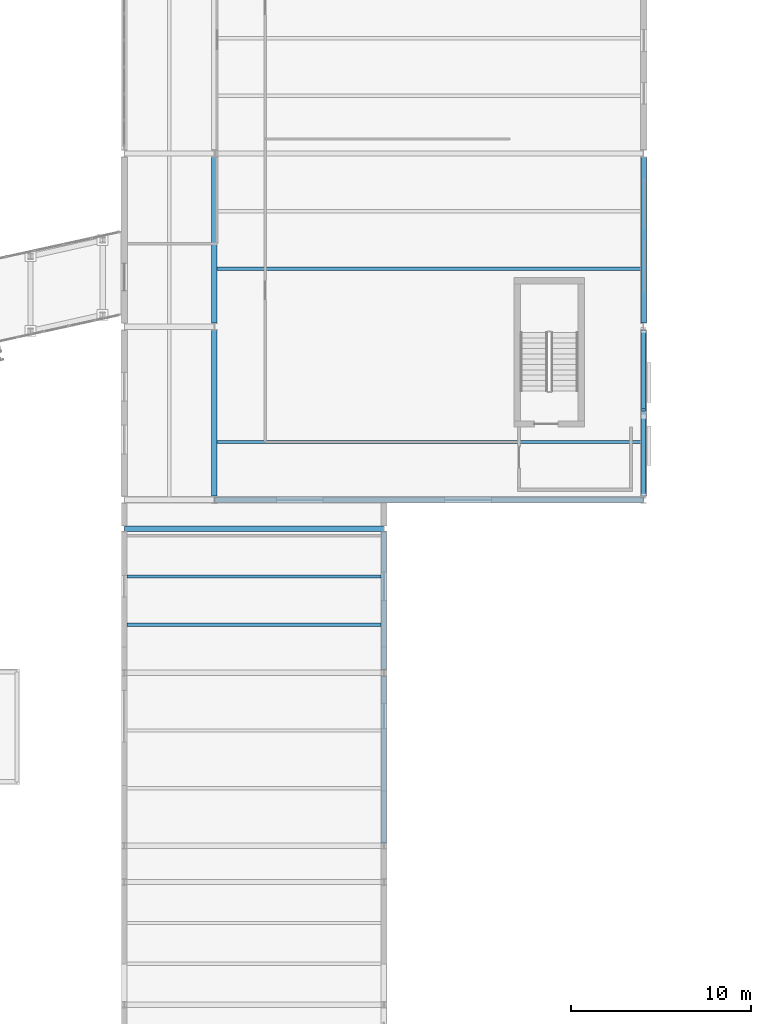
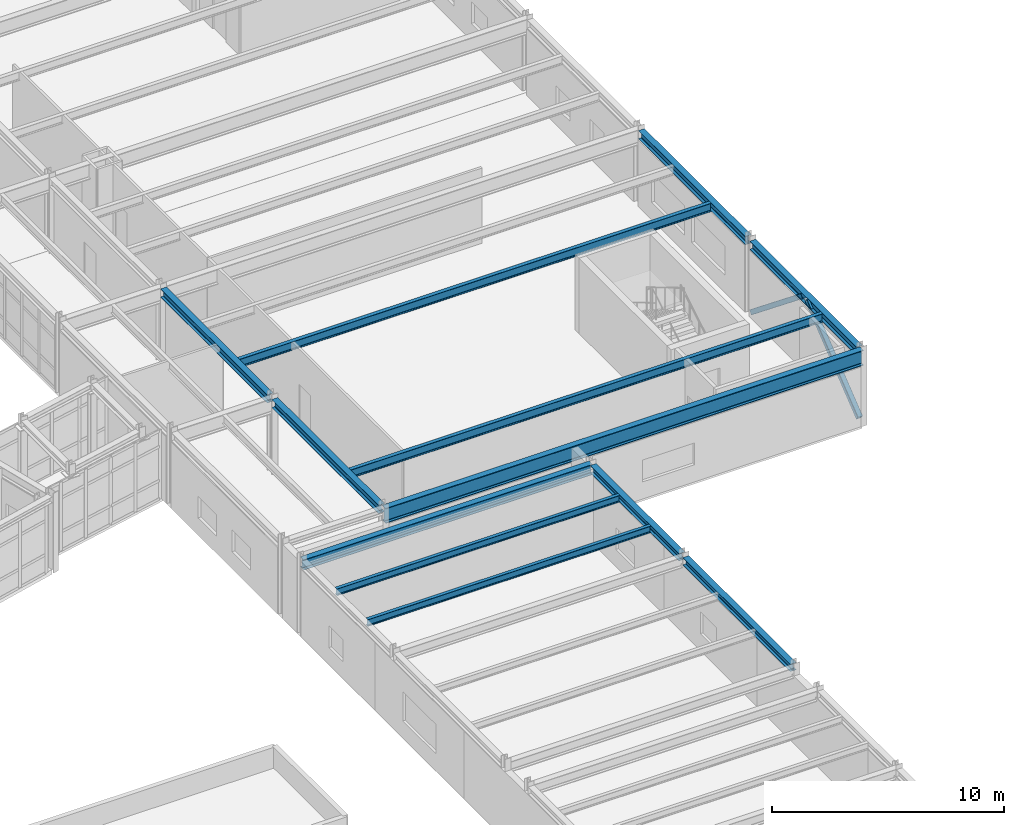
# One storey, part 34 of 99: 12 beams, 2 members.
"""IFC4 building model written with IfcOpenShell, lengths in metres."""

import ifcopenshell
import ifcopenshell.guid

model = None  # the IFC model being written
_history = None  # IfcOwnerHistory: only IFC2X3 demands one
_inside = {}  # id of a spatial element -> (the spatial element, [elements in it])
_under = {}  # id of a project, library or spatial element -> (it, [spatial elements below it])
_declared = {}  # id of a project -> (the project, [libraries it declares])
_typed = {}  # id of a type object -> (the type object, [elements of that type])
_made_of = {}  # id of a material, layer set ... -> (it, [elements and type objects made of it])


def new_model(schema):
    """Start an empty IFC model of exactly this schema.

    Asked for "IFC4X3", IfcOpenShell would pick the latest addendum, in which some entities
    have other attributes; the version numbers below select the first issue.
    IFC2X3 requires an IfcOwnerHistory on every rooted entity: one is made here for all.
    """
    global model, _history
    if schema == "IFC4X3":
        model = ifcopenshell.file(schema_version=(4, 3, 0, 0))
    else:
        model = ifcopenshell.file(schema=schema)
    _inside.clear()
    _under.clear()
    _declared.clear()
    _typed.clear()
    _made_of.clear()
    _history = None
    if model.schema == "IFC2X3":
        org = make("IfcOrganization", Name="unknown")
        user = make(
            "IfcPersonAndOrganization",
            ThePerson=make("IfcPerson", FamilyName="unknown"),
            TheOrganization=org,
        )
        app = make(
            "IfcApplication",
            ApplicationDeveloper=org,
            Version="unknown",
            ApplicationFullName="unknown",
            ApplicationIdentifier="unknown",
        )
        _history = make(
            "IfcOwnerHistory",
            OwningUser=user,
            OwningApplication=app,
            ChangeAction="ADDED",
            CreationDate=0,
        )
    return model


def make(cls, **values):
    """One entity of the class cls with the attributes given. An attribute that is None is left unset."""
    return model.create_entity(
        cls, **{name: value for name, value in values.items() if value is not None}
    )


def rooted(cls, **values):
    """An entity with a GlobalId (a new one), such as an element, a storey or a relation."""
    return make(cls, GlobalId=ifcopenshell.guid.new(), OwnerHistory=_history, **values)


def si_unit(unit_type, name, prefix=None):
    """IfcSIUnit, for example si_unit("LENGTHUNIT", "METRE", prefix="MILLI")."""
    return make("IfcSIUnit", UnitType=unit_type, Prefix=prefix, Name=name)


def assignment(units):
    """IfcUnitAssignment: the units of a project."""
    return None if units is None else make("IfcUnitAssignment", Units=units)


def point(xyz):
    """IfcCartesianPoint."""
    return None if xyz is None else make("IfcCartesianPoint", Coordinates=xyz)


def direction(xyz):
    """IfcDirection."""
    return None if xyz is None else make("IfcDirection", DirectionRatios=xyz)


def frame(location, z_axis=None, x_axis=None):
    """IfcAxis2Placement3D, a coordinate frame: its origin and axes. An axis left out is left unset."""
    return make(
        "IfcAxis2Placement3D",
        Location=point(location),
        Axis=direction(z_axis),
        RefDirection=direction(x_axis),
    )


def frame_2d(location, x_axis=None):
    """IfcAxis2Placement2D, a coordinate frame in the plane: its origin and x axis."""
    return make(
        "IfcAxis2Placement2D", Location=point(location), RefDirection=direction(x_axis)
    )


def origin():
    """The frame at (0, 0, 0) with its axes left unset."""
    return frame((0.0, 0.0, 0.0))


def origin_2d():
    """The frame at (0, 0) in the plane with its x axis left unset."""
    return frame_2d((0.0, 0.0))


def place(relative_to, where):
    """IfcLocalPlacement: puts the frame where relative to a parent placement (None: the world)."""
    return make(
        "IfcLocalPlacement", PlacementRelTo=relative_to, RelativePlacement=where
    )


def context(
    kind, dimensions, precision=None, world=None, true_north=None, identifier=None
):
    """IfcGeometricRepresentationContext, for example the 3D "Model" context."""
    return make(
        "IfcGeometricRepresentationContext",
        ContextIdentifier=identifier,
        ContextType=kind,
        CoordinateSpaceDimension=dimensions,
        Precision=precision,
        WorldCoordinateSystem=world,
        TrueNorth=true_north,
    )


def subcontext(parent, identifier, kind, view, scale=None):
    """IfcGeometricRepresentationSubContext, for example "Body" below "Model"."""
    return make(
        "IfcGeometricRepresentationSubContext",
        ContextIdentifier=identifier,
        ContextType=kind,
        ParentContext=parent,
        TargetScale=scale,
        TargetView=view,
    )


def project(units=None, contexts=None):
    """IfcProject with its units and contexts."""
    return rooted(
        "IfcProject",
        Name="project",
        RepresentationContexts=contexts,
        UnitsInContext=assignment(units),
    )


def spatial(cls, under=None, at=None, **own):
    """A site, building, storey or space (cls), placed at a placement, below another one or the project."""
    s = rooted(cls, ObjectPlacement=at, **own)
    if under is not None:
        _under.setdefault(under.id(), (under, []))[1].append(s)
    return s


def profile(cls, at=None, kind="AREA", **sizes):
    """A parametric profile (cls). Its sizes go by their IFC names, for example OverallWidth=200.0."""
    return make(cls, ProfileType=kind, Position=at, **sizes)


def hollow_rectangle(**sizes):
    """IfcRectangleHollowProfileDef."""
    return profile("IfcRectangleHollowProfileDef", **sizes)


def i_section(**sizes):
    """IfcIShapeProfileDef."""
    return profile("IfcIShapeProfileDef", **sizes)


def extrude(swept, where, along, depth):
    """IfcExtrudedAreaSolid: the profile swept, set in the frame where, extruded along a direction by depth."""
    return make(
        "IfcExtrudedAreaSolid",
        SweptArea=swept,
        Position=where,
        ExtrudedDirection=direction(along),
        Depth=depth,
    )


def shape(context_of_items, identifier, shape_type, items):
    """IfcShapeRepresentation: the items that make up one representation, for example the "Body"."""
    return make(
        "IfcShapeRepresentation",
        ContextOfItems=context_of_items,
        RepresentationIdentifier=identifier,
        RepresentationType=shape_type,
        Items=items,
    )


def material(Name=None, Category=None):
    """IfcMaterial."""
    return make("IfcMaterial", Name=Name, Category=Category)


def material_profile(
    of_material, cross_section, Name=None, Category=None, Priority=None
):
    """IfcMaterialProfile: a cross section and its material."""
    return make(
        "IfcMaterialProfile",
        Name=Name,
        Material=of_material,
        Profile=cross_section,
        Priority=Priority,
        Category=Category,
    )


def profile_set(profiles, Name=None, composite=None):
    """IfcMaterialProfileSet."""
    return make(
        "IfcMaterialProfileSet",
        Name=Name,
        MaterialProfiles=profiles,
        CompositeProfile=composite,
    )


def made_of(thing, what):
    """Note that an element or type object is made of a material, layer set ...; save() writes the relation."""
    if what is not None:
        _made_of.setdefault(what.id(), (what, []))[1].append(thing)
    return thing


def type_object(cls, material=None, **own):
    """A type object (cls), such as IfcWallType, which elements share."""
    return made_of(rooted(cls, **own), material)


def element(
    cls,
    number,
    at=None,
    inside=None,
    cuts=None,
    type_object=None,
    material=None,
    context=None,
    identifier="Body",
    shape_type=None,
    held_by="IfcProductDefinitionShape",
    body=None,
    shapes=None,
    **own,
):
    """One element of the class cls, such as IfcWall. Its Tag is "e" and its number.

    at: its placement. inside: the storey or other place that contains it. cuts: it is an
    opening in that element (IfcRelVoidsElement). A single representation is given by context,
    identifier, shape_type and body (its items); several are given by shapes. held_by: the class
    of the entity that holds the representations. save() writes the other relations.
    """
    e = rooted(cls, Tag="e%d" % number, ObjectPlacement=at, **own)
    if body is not None:
        shapes = [shape(context, identifier, shape_type, body)]
    if shapes is not None:
        e.Representation = make(held_by, Representations=shapes)
    if inside is not None:
        _inside.setdefault(inside.id(), (inside, []))[1].append(e)
    if cuts is not None:
        rooted(
            "IfcRelVoidsElement", RelatingBuildingElement=cuts, RelatedOpeningElement=e
        )
    if type_object is not None:
        _typed.setdefault(type_object.id(), (type_object, []))[1].append(e)
    return made_of(e, material)


def aggregate(whole, parts):
    """IfcRelAggregates: a whole, such as a stair, and the parts it consists of."""
    return rooted("IfcRelAggregates", RelatingObject=whole, RelatedObjects=parts)


def save(model, path):
    """Write the relations noted so far, then the file.

    IfcRelAggregates (storeys below a building ...), IfcRelContainedInSpatialStructure (elements
    in a storey), IfcRelDefinesByType, IfcRelAssociatesMaterial and IfcRelDeclares: one each for
    every whole, place, type object, material and project.
    """
    for whole, parts in _under.values():
        aggregate(whole, parts)
    for where, things in _inside.values():
        rooted(
            "IfcRelContainedInSpatialStructure",
            RelatedElements=things,
            RelatingStructure=where,
        )
    for kind, things in _typed.values():
        rooted("IfcRelDefinesByType", RelatedObjects=things, RelatingType=kind)
    for what, things in _made_of.values():
        rooted("IfcRelAssociatesMaterial", RelatedObjects=things, RelatingMaterial=what)
    for by, libraries in _declared.values():
        rooted("IfcRelDeclares", RelatingContext=by, RelatedDefinitions=libraries)
    model.write(path)


model = new_model("IFC4")

# Units and contexts
model_context = context("Model", 3, precision=1e-05, world=origin(), true_north=direction((0.0, 1.0)))
body_context = subcontext(model_context, "Body", "Model", "MODEL_VIEW")
ifc_project = project(units=[si_unit("LENGTHUNIT", "METRE"), si_unit("AREAUNIT", "SQUARE_METRE"), si_unit("VOLUMEUNIT", "CUBIC_METRE"), si_unit("PLANEANGLEUNIT", "RADIAN"), si_unit("MASSUNIT", "GRAM", prefix="KILO")], contexts=[model_context])

# Site, building, storey
site_placement = place(None, origin())
site = spatial("IfcSite", under=ifc_project, at=site_placement, CompositionType="ELEMENT")
building_placement = place(site_placement, origin())
building = spatial("IfcBuilding", under=site, at=building_placement, Name="Nordkorset Police Headquarters", CompositionType="ELEMENT")
storey_placement = place(building_placement, frame((0.0, 0.0, 5.25)))
storey = spatial("IfcBuildingStorey", under=building, at=storey_placement, Name="L01", CompositionType="ELEMENT", Elevation=5.25)

# Beams
ifc_material_1 = material(Name="Steel S355J2", Category="steel")
ifc_material_profile_1 = material_profile(ifc_material_1, i_section(OverallWidth=0.169921875, OverallDepth=0.360107421875, WebThickness=0.008056640625, FlangeThickness=0.0126953125, FilletRadius=0.01806640625, at=origin_2d()), Name="IPE 360")
ifc_profile_set_1 = profile_set([ifc_material_profile_1], Name="Steel S355J2")
beam_type_1 = type_object("IfcBeamType", Name="Beam_IPE_360", PredefinedType="BEAM", material=ifc_profile_set_1)
for number, where, z_axis, x_axis, name in (
    (1, (86.550048828125, 41.066650390625, 3.784912109375), (1.0, 0.0, 0.0), (0.0, 1.0, 0.0), "Composite Floor Beam V7EN L01 0-1-1"),
    (2, (86.550048828125, 43.7333984375, 3.784912109375), (1.0, 0.0, 0.0), (0.0, 1.0, 0.0), "Composite Floor Beam V7EN L01 0-1-2"),
):
    element("IfcBeam", number, at=place(storey_placement, frame(where, z_axis=z_axis, x_axis=x_axis)), inside=storey, type_object=beam_type_1, Name=name, PredefinedType="BEAM", context=body_context, shape_type="SweptSolid", body=[
        extrude(i_section(OverallWidth=0.169921875, OverallDepth=0.360107421875, WebThickness=0.008056640625, FlangeThickness=0.0126953125, FilletRadius=0.01806640625, at=origin_2d()), origin(), (0.0, 0.0, 1.0), 14.099853515625),
    ])
ifc_material_2 = material(Name="Steel S355J2", Category="steel")
ifc_material_profile_2 = material_profile(ifc_material_2, i_section(OverallWidth=0.18994140625, OverallDepth=0.449951171875, WebThickness=0.009521484375, FlangeThickness=0.0146484375, FilletRadius=0.02099609375, at=origin_2d()), Name="IPE 450")
ifc_profile_set_2 = profile_set([ifc_material_profile_2], Name="Steel S355J2")
beam_type_2 = type_object("IfcBeamType", Name="Beam_IPE_450", PredefinedType="BEAM", material=ifc_profile_set_2)
for number, where, z_axis, x_axis, name in (
    (3, (91.550048828125, 51.199951171875, 3.735107421875), (1.0, 0.0, 0.0), (0.0, 1.0, 0.0), "Composite Floor Beam V5 L01 1-0-1"),
    (4, (91.550048828125, 60.800048828125, 3.735107421875), (1.0, 0.0, 0.0), (0.0, 1.0, 0.0), "Composite Floor Beam V5 L01 1-1-1"),
):
    element("IfcBeam", number, at=place(storey_placement, frame(where, z_axis=z_axis, x_axis=x_axis)), inside=storey, type_object=beam_type_2, Name=name, PredefinedType="BEAM", context=body_context, shape_type="SweptSolid", body=[
        extrude(i_section(OverallWidth=0.18994140625, OverallDepth=0.449951171875, WebThickness=0.009521484375, FlangeThickness=0.0146484375, FilletRadius=0.02099609375, at=origin_2d()), origin(), (0.0, 0.0, 1.0), 23.5),
    ])

# Members
ifc_material_3 = material(Name="Steel S355J2", Category="steel")
ifc_material_profile_3 = material_profile(ifc_material_3, hollow_rectangle(XDim=0.25, YDim=0.25, WallThickness=0.012451171875, InnerFilletRadius=0.012451171875, OuterFilletRadius=0.02490234375, at=origin_2d()), Name="SHS 250x250x12.5")
ifc_profile_set_3 = profile_set([ifc_material_profile_3], Name="Steel S355J2")
member_type = type_object("IfcMemberType", Name="Brace_SHS_250x250x12.5", PredefinedType="BRACE", material=ifc_profile_set_3)
member_1_placement = place(storey_placement, frame((115.199951171875, 48.199951171875, 0.199951171875), z_axis=(0.0, 0.780532216812, 0.625115556132), x_axis=(-1.0, 0.0, 0.0)))
element("IfcMember", 5, at=member_1_placement, inside=storey, type_object=member_type, Name="Lateral Chevron Brace BF-EXT-V5E0 L01 D1", PredefinedType="BRACE", context=body_context, shape_type="SweptSolid", body=[
    extrude(hollow_rectangle(XDim=0.25, YDim=0.25, WallThickness=0.012451171875, InnerFilletRadius=0.012451171875, OuterFilletRadius=0.02490234375, at=origin_2d()), origin(), (0.0, 0.0, 1.0), 5.6630859375),
])
member_2_placement = place(storey_placement, frame((115.199951171875, 57.39990234375, 0.199951171875), z_axis=(0.0, -0.780515369336, 0.625136591658), x_axis=(1.0, 0.0, 0.0)))
element("IfcMember", 6, at=member_2_placement, inside=storey, type_object=member_type, Name="Lateral Chevron Brace BF-EXT-V5E0 L01 D2", PredefinedType="BRACE", context=body_context, shape_type="SweptSolid", body=[
    extrude(hollow_rectangle(XDim=0.25, YDim=0.25, WallThickness=0.012451171875, InnerFilletRadius=0.012451171875, OuterFilletRadius=0.02490234375, at=origin_2d()), origin(), (0.0, 0.0, 1.0), 5.662841796875),
])

# Beams
ifc_material_4 = material(Name="Steel S355J2", Category="steel")
ifc_material_profile_4 = material_profile(ifc_material_4, i_section(OverallWidth=0.300048828125, OverallDepth=0.389892578125, WebThickness=0.010986328125, FlangeThickness=0.01904296875, FilletRadius=0.027099609375, at=origin_2d()), Name="HEA 400")
ifc_profile_set_4 = profile_set([ifc_material_profile_4], Name="Steel S355J2")
beam_type_3 = type_object("IfcBeamType", Name="Girder_HEA_400", PredefinedType="USERDEFINED", material=ifc_profile_set_4)
beam_1_placement = place(storey_placement, frame((100.800048828125, 28.969970703125, 3.77001953125), z_axis=(0.0, 1.0, 0.0), x_axis=(-1.0, 0.0, 0.0)))
element("IfcBeam", 7, at=beam_1_placement, inside=storey, type_object=beam_type_3, Name="Girder V7EN L01 GY-1-0", ObjectType="GIRDER", PredefinedType="USERDEFINED", context=body_context, shape_type="SweptSolid", body=[
    extrude(i_section(OverallWidth=0.300048828125, OverallDepth=0.389892578125, WebThickness=0.010986328125, FlangeThickness=0.01904296875, FilletRadius=0.027099609375, at=origin_2d()), origin(), (0.0, 0.0, 1.0), 9.260009765625),
])
beam_2_placement = place(storey_placement, frame((100.800048828125, 38.570068359375, 3.77001953125), z_axis=(0.0, 1.0, 0.0), x_axis=(-1.0, 0.0, 0.0)))
element("IfcBeam", 8, at=beam_2_placement, inside=storey, type_object=beam_type_3, Name="Girder V7EN L01 GY-1-1", ObjectType="GIRDER", PredefinedType="USERDEFINED", context=body_context, shape_type="SweptSolid", body=[
    extrude(i_section(OverallWidth=0.300048828125, OverallDepth=0.389892578125, WebThickness=0.010986328125, FlangeThickness=0.01904296875, FilletRadius=0.027099609375, at=origin_2d()), origin(), (0.0, 0.0, 1.0), 7.659912109375),
])
ifc_material_5 = material(Name="Steel S355J2", Category="steel")
ifc_material_profile_5 = material_profile(ifc_material_5, i_section(OverallWidth=0.300048828125, OverallDepth=0.43994140625, WebThickness=0.011474609375, FlangeThickness=0.02099609375, FilletRadius=0.027099609375, at=origin_2d()), Name="HEA 450")
ifc_profile_set_5 = profile_set([ifc_material_profile_5], Name="Steel S355J2")
beam_type_4 = type_object("IfcBeamType", Name="Girder_HEA_450", PredefinedType="USERDEFINED", material=ifc_profile_set_5)
for number, where, z_axis, x_axis, name in (
    (9, (91.39990234375, 48.199951171875, 3.739990234375), (0.0, 1.0, 0.0), (-1.0, 0.0, 0.0), "Girder V5 L01 GY-1-0"),
    (10, (91.39990234375, 57.800048828125, 3.739990234375), (0.0, 1.0, 0.0), (-1.0, 0.0, 0.0), "Girder V5 L01 GY-1-1"),
    (11, (115.199951171875, 48.199951171875, 3.739990234375), (0.0, 1.0, 0.0), (-1.0, 0.0, 0.0), "Girder V5 L01 GY-2-0"),
    (12, (115.199951171875, 57.800048828125, 3.739990234375), (0.0, 1.0, 0.0), (-1.0, 0.0, 0.0), "Girder V5 L01 GY-2-1"),
):
    element("IfcBeam", number, at=place(storey_placement, frame(where, z_axis=z_axis, x_axis=x_axis)), inside=storey, type_object=beam_type_4, Name=name, ObjectType="GIRDER", PredefinedType="USERDEFINED", context=body_context, shape_type="SweptSolid", body=[
        extrude(i_section(OverallWidth=0.300048828125, OverallDepth=0.43994140625, WebThickness=0.011474609375, FlangeThickness=0.02099609375, FilletRadius=0.027099609375, at=origin_2d()), origin(), (0.0, 0.0, 1.0), 9.199951171875),
    ])
ifc_material_6 = material(Name="Steel S355J2", Category="steel")
ifc_material_profile_6 = material_profile(ifc_material_6, i_section(OverallWidth=0.300048828125, OverallDepth=0.5400390625, WebThickness=0.012451171875, FlangeThickness=0.02392578125, FilletRadius=0.027099609375, at=origin_2d()), Name="HEA 550")
ifc_profile_set_6 = profile_set([ifc_material_profile_6], Name="Steel S355J2")
beam_type_5 = type_object("IfcBeamType", Name="Girder_HEA_550", PredefinedType="USERDEFINED", material=ifc_profile_set_6)
beam_3_placement = place(storey_placement, frame((86.406005859375, 46.39990234375, 3.695068359375), z_axis=(1.0, 0.0, 0.0), x_axis=(0.0, 1.0, 0.0)))
element("IfcBeam", 13, at=beam_3_placement, inside=storey, type_object=beam_type_5, Name="Girder V7EN L01 GX-2-0", ObjectType="GIRDER", PredefinedType="USERDEFINED", context=body_context, shape_type="SweptSolid", body=[
    extrude(i_section(OverallWidth=0.300048828125, OverallDepth=0.5400390625, WebThickness=0.012451171875, FlangeThickness=0.02392578125, FilletRadius=0.027099609375, at=origin_2d()), origin(), (0.0, 0.0, 1.0), 14.387939453125),
])
ifc_material_7 = material(Name="Steel S355J2", Category="steel")
ifc_material_profile_7 = material_profile(ifc_material_7, i_section(OverallWidth=0.300048828125, OverallDepth=0.800048828125, WebThickness=0.017578125, FlangeThickness=0.032958984375, FilletRadius=0.030029296875, at=origin_2d()), Name="HEB 800")
ifc_profile_set_7 = profile_set([ifc_material_profile_7], Name="Steel S355J2")
beam_type_6 = type_object("IfcBeamType", Name="Girder_HEB_800", PredefinedType="USERDEFINED", material=ifc_profile_set_7)
beam_4_placement = place(storey_placement, frame((91.40673828125, 48.0, 3.56005859375), z_axis=(1.0, 0.0, 0.0), x_axis=(0.0, 1.0, 0.0)))
element("IfcBeam", 14, at=beam_4_placement, inside=storey, type_object=beam_type_6, Name="Girder V5 L01 GX-0-1", ObjectType="GIRDER", PredefinedType="USERDEFINED", context=body_context, shape_type="SweptSolid", body=[
    extrude(i_section(OverallWidth=0.300048828125, OverallDepth=0.800048828125, WebThickness=0.017578125, FlangeThickness=0.032958984375, FilletRadius=0.030029296875, at=origin_2d()), origin(), (0.0, 0.0, 1.0), 23.78662109375),
])

save(model, "model.ifc")
